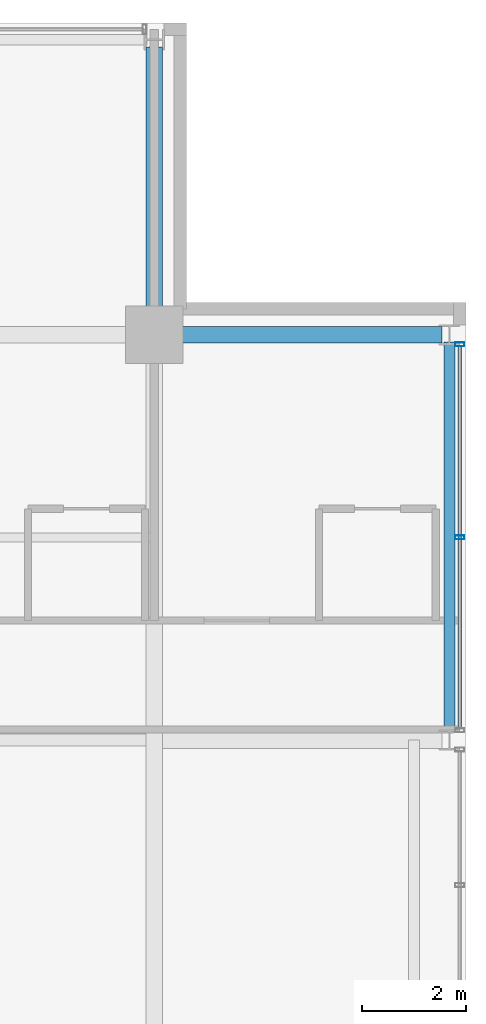
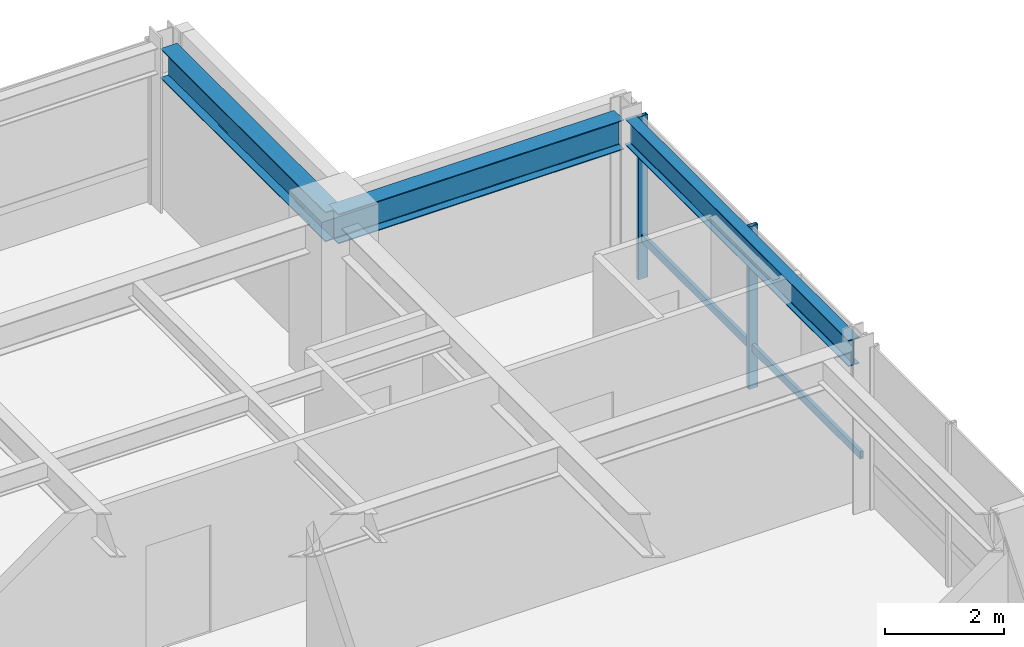
# One storey, part 23 of 31: 3 beams, 3 members, 1 element without a shape of its own.
"""IFC4 building model written with IfcOpenShell, lengths in metres."""

from ifc_helpers import new_model, si_unit, direction, frame, origin, origin_2d, place, context, subcontext, project, spatial, hollow_rectangle, i_section, extrude, material, layer, layer_set, material_profile, profile_set, type_object, element, aggregate, save


model = new_model("IFC4")

# Units and contexts
model_context = context("Model", 3, precision=1e-05, world=origin(), true_north=direction((0.0, 1.0)))
body_context = subcontext(model_context, "Body", "Model", "MODEL_VIEW")
ifc_project = project(units=[si_unit("LENGTHUNIT", "METRE"), si_unit("AREAUNIT", "SQUARE_METRE"), si_unit("VOLUMEUNIT", "CUBIC_METRE"), si_unit("PLANEANGLEUNIT", "RADIAN"), si_unit("MASSUNIT", "GRAM", prefix="KILO")], contexts=[model_context])

# Site, building, storey
site_placement = place(None, origin())
site = spatial("IfcSite", under=ifc_project, at=site_placement, CompositionType="ELEMENT")
building_placement = place(site_placement, origin())
building = spatial("IfcBuilding", under=site, at=building_placement, Name="Drelvath Grand Hotel", CompositionType="ELEMENT")
storey_placement = place(building_placement, frame((0.0, 0.0, 230.300048828125)))
storey = spatial("IfcBuildingStorey", under=building, at=storey_placement, Name="L60", CompositionType="ELEMENT", Elevation=230.300048828125)

# Curtain wall, members
ifc_material_1 = material(Name="Platinum-Mist Anodised Aluminium Frame", Category="aluminium")
ifc_layer = layer(ifc_material_1, 0.199951171875)
ifc_layer_set = layer_set([ifc_layer], Name="Platinum-Mist Anodised Aluminium Frame")
curtain_wall_type = type_object("IfcCurtainWallType", Name="Stick Curtain Wall CW-05 Platinum Mist High-Rise", PredefinedType="NOTDEFINED", material=ifc_layer_set)
curtain_wall_placement = place(storey_placement, origin())
curtain_wall = element("IfcCurtainWall", 1, at=curtain_wall_placement, inside=storey, type_object=curtain_wall_type, Name="L60 CW-05 Curtain Wall CW05-L60-EN2", PredefinedType="NOTDEFINED")
ifc_material_profile_1 = material_profile(ifc_material_1, hollow_rectangle(XDim=0.06494140625, YDim=0.159912109375, WallThickness=0.00390625, at=origin_2d()), Name="HSS160X65X4")
ifc_profile_set_1 = profile_set([ifc_material_profile_1], Name="Platinum-Mist Anodised Aluminium Frame")
member_type_1 = type_object("IfcMemberType", Name="Curtain Wall Horizontal Transom CW-05 HSS160X65X4", PredefinedType="USERDEFINED", material=ifc_profile_set_1)
member_1_placement = place(storey_placement, frame((22.080078125, 42.974609375, 0.8349609375), z_axis=(0.0, -1.0, 0.0), x_axis=(1.0, 0.0, 0.0)))
member_1 = element("IfcMember", 2, at=member_1_placement, type_object=member_type_1, Name="CW05-L60-EN2 Sill Transom", ObjectType="TRANSOM", PredefinedType="USERDEFINED", context=body_context, shape_type="SweptSolid", body=[
    extrude(hollow_rectangle(XDim=0.06494140625, YDim=0.159912109375, WallThickness=0.00390625, at=origin_2d()), origin(), (0.0, 0.0, 1.0), 7.349365234375),
])
ifc_material_profile_2 = material_profile(ifc_material_1, hollow_rectangle(XDim=0.074951171875, YDim=0.179931640625, WallThickness=0.0048828125, at=origin_2d()), Name="HSS180X75X5")
ifc_profile_set_2 = profile_set([ifc_material_profile_2], Name="Platinum-Mist Anodised Aluminium Frame")
member_type_2 = type_object("IfcMemberType", Name="Curtain Wall Vertical Mullion CW-05 HSS180X75X5", PredefinedType="MULLION", material=ifc_profile_set_2)
member_2_placement = place(storey_placement, frame((22.080078125, 43.0146484375, 0.0), z_axis=(0.0, 0.0, 1.0), x_axis=(0.0, 1.0, 0.0)))
member_2 = element("IfcMember", 3, at=member_2_placement, type_object=member_type_2, Name="CW05-L60-EN2 Mullion 1", PredefinedType="MULLION", context=body_context, shape_type="SweptSolid", body=[
    extrude(hollow_rectangle(XDim=0.074951171875, YDim=0.179931640625, WallThickness=0.0048828125, at=origin_2d()), origin(), (0.0, 0.0, 1.0), 3.33984375),
])
member_3_placement = place(storey_placement, frame((22.080078125, 39.300048828125, 0.0), z_axis=(0.0, 0.0, 1.0), x_axis=(0.0, 1.0, 0.0)))
member_3 = element("IfcMember", 4, at=member_3_placement, type_object=member_type_2, Name="CW05-L60-EN2 Mullion 2", PredefinedType="MULLION", context=body_context, shape_type="SweptSolid", body=[
    extrude(hollow_rectangle(XDim=0.074951171875, YDim=0.179931640625, WallThickness=0.0048828125, at=origin_2d()), origin(), (0.0, 0.0, 1.0), 3.33984375),
])
aggregate(curtain_wall, [member_2, member_3, member_1])

# Beams
ifc_material_2 = material(Name="Steel ASTM A992 Gr 50", Category="steel")
ifc_material_profile_3 = material_profile(ifc_material_2, i_section(OverallWidth=0.210205078125, OverallDepth=0.53662109375, WebThickness=0.010986328125, FlangeThickness=0.017333984375, FilletRadius=0.01806640625, at=origin_2d()), Name="W21X68")
ifc_profile_set_3 = profile_set([ifc_material_profile_3], Name="Steel ASTM A992 Gr 50")
beam_type_1 = type_object("IfcBeamType", Name="Perimeter Spandrel Beam W21X68", PredefinedType="SPANDREL", material=ifc_profile_set_3)
beam_placement = place(storey_placement, frame((21.8798828125, 35.5400390625, 3.071533203125), z_axis=(0.0, 1.0, 0.0), x_axis=(-1.0, 0.0, 0.0)))
element("IfcBeam", 5, at=beam_placement, inside=storey, type_object=beam_type_1, Name="L60 Spandrel East N", PredefinedType="SPANDREL", context=body_context, shape_type="SweptSolid", body=[
    extrude(i_section(OverallWidth=0.210205078125, OverallDepth=0.53662109375, WebThickness=0.010986328125, FlangeThickness=0.017333984375, FilletRadius=0.01806640625, at=origin_2d()), origin(), (0.0, 0.0, 1.0), 7.52001953125),
])
ifc_material_profile_4 = material_profile(ifc_material_2, i_section(OverallWidth=0.323974609375, OverallDepth=0.611083984375, WebThickness=0.0126953125, FlangeThickness=0.01904296875, FilletRadius=0.02197265625, at=origin_2d()), Name="W24X104")
ifc_profile_set_4 = profile_set([ifc_material_profile_4], Name="Steel ASTM A992 Gr 50")
beam_type_2 = type_object("IfcBeamType", Name="Primary Floor Girder W24X104", PredefinedType="BEAM", material=ifc_profile_set_4)
for number, where, z_axis, x_axis, name in (
    (6, (16.199951171875, 43.199951171875, 3.034423828125), (1.0, 0.0, 0.0), (0.0, 1.0, 0.0), "L60 East Grid Girder G"),
    (7, (16.199951171875, 43.199951171875, 3.034423828125), (0.0, 1.0, 0.0), (-1.0, 0.0, 0.0), "L60 North Grid Girder 7"),
):
    element("IfcBeam", number, at=place(storey_placement, frame(where, z_axis=z_axis, x_axis=x_axis)), inside=storey, type_object=beam_type_2, Name=name, PredefinedType="BEAM", context=body_context, shape_type="SweptSolid", body=[
        extrude(i_section(OverallWidth=0.323974609375, OverallDepth=0.611083984375, WebThickness=0.0126953125, FlangeThickness=0.01904296875, FilletRadius=0.02197265625, at=origin_2d()), origin(), (0.0, 0.0, 1.0), 5.5400390625),
    ])

save(model, "model.ifc")
